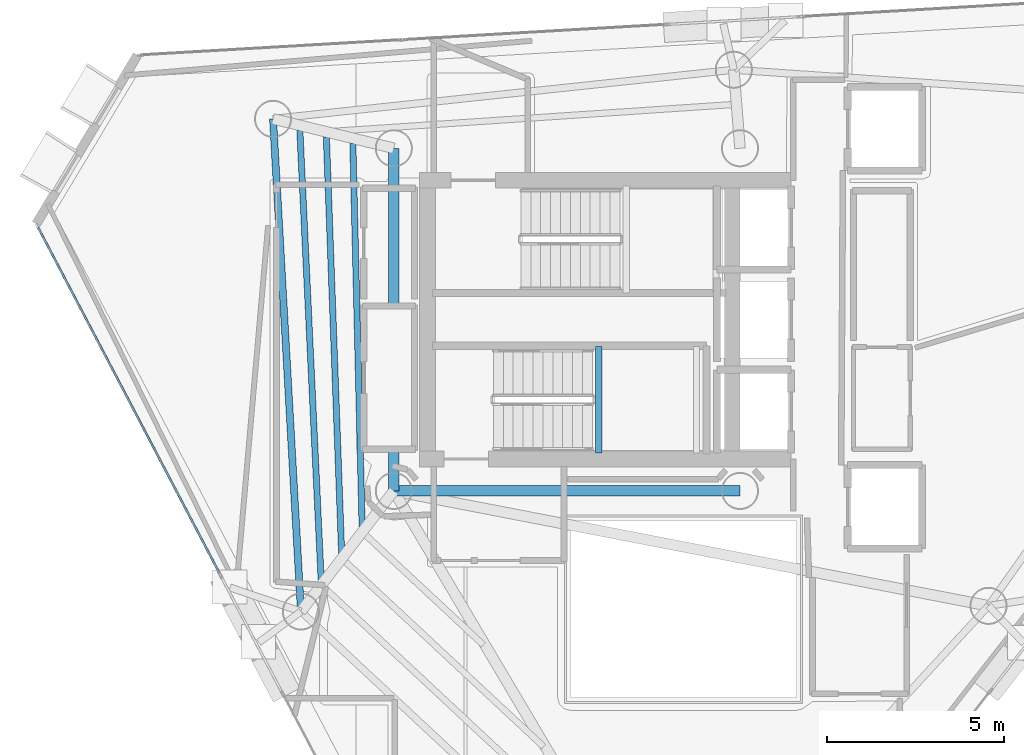
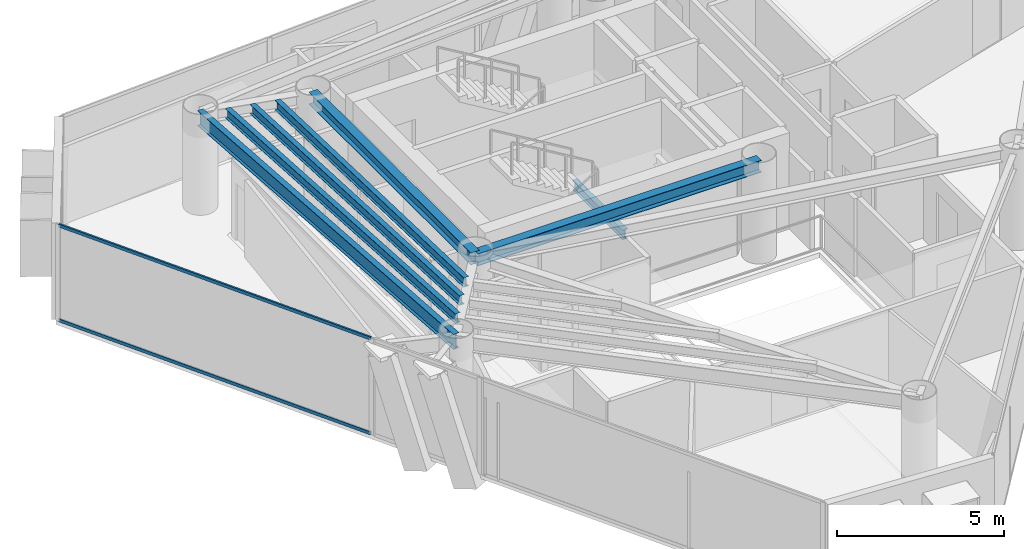
# One storey, part 7 of 18: 7 beams, 2 members, 1 element without a shape of its own.
"""IFC4 building model written with IfcOpenShell, lengths in metres."""

from ifc_helpers import new_model, si_unit, direction, frame, origin, origin_2d, place, context, subcontext, project, spatial, hollow_rectangle, i_section, extrude, material, layer, layer_set, material_profile, profile_set, type_object, element, aggregate, save


model = new_model("IFC4")

# Units and contexts
model_context = context("Model", 3, precision=1e-05, world=origin(), true_north=direction((0.0, 1.0)))
body_context = subcontext(model_context, "Body", "Model", "MODEL_VIEW")
ifc_project = project(units=[si_unit("LENGTHUNIT", "METRE"), si_unit("AREAUNIT", "SQUARE_METRE"), si_unit("VOLUMEUNIT", "CUBIC_METRE"), si_unit("PLANEANGLEUNIT", "RADIAN"), si_unit("MASSUNIT", "GRAM", prefix="KILO")], contexts=[model_context])

# Site, building, storey
site_placement = place(None, origin())
site = spatial("IfcSite", under=ifc_project, at=site_placement, CompositionType="ELEMENT")
building_placement = place(site_placement, origin())
building = spatial("IfcBuilding", under=site, at=building_placement, Name="Qianvela Tower", CompositionType="ELEMENT")
storey_placement = place(building_placement, frame((0.0, 0.0, 264.89990234375)))
storey = spatial("IfcBuildingStorey", under=building, at=storey_placement, Name="L68", CompositionType="ELEMENT", Elevation=264.89990234375)

# Beams
ifc_material_1 = material(Name="Steel Q355B", Category="steel")
ifc_material_profile_1 = material_profile(ifc_material_1, i_section(OverallWidth=0.300048828125, OverallDepth=0.43994140625, WebThickness=0.010986328125, FlangeThickness=0.01806640625, at=origin_2d()), Name="HM440x300x11x18")
ifc_profile_set_1 = profile_set([ifc_material_profile_1], Name="Steel Q355B")
beam_type_1 = type_object("IfcBeamType", Name="BM-HM440-COLL", PredefinedType="BEAM", material=ifc_profile_set_1)
beam_1_placement = place(storey_placement, frame((28.60009765625, 23.85009765625, 3.298095703125), z_axis=(1.0, 0.0, 0.0), x_axis=(0.0, 1.0, 0.0)))
element("IfcBeam", 1, at=beam_1_placement, inside=storey, type_object=beam_type_1, Name="L68 Core Ring Collector Girder CC1", PredefinedType="BEAM", context=body_context, shape_type="SweptSolid", body=[
    extrude(i_section(OverallWidth=0.300048828125, OverallDepth=0.43994140625, WebThickness=0.010986328125, FlangeThickness=0.01806640625, at=origin_2d()), origin(), (0.0, 0.0, 1.0), 9.7998046875),
])
beam_2_placement = place(storey_placement, frame((28.60009765625, 33.550048828125, 3.298095703125), z_axis=(0.0, -1.0, 0.0), x_axis=(1.0, 0.0, 0.0)))
element("IfcBeam", 2, at=beam_2_placement, inside=storey, type_object=beam_type_1, Name="L68 Core Ring Collector Girder CC2", PredefinedType="BEAM", context=body_context, shape_type="SweptSolid", body=[
    extrude(i_section(OverallWidth=0.300048828125, OverallDepth=0.43994140625, WebThickness=0.010986328125, FlangeThickness=0.01806640625, at=origin_2d()), origin(), (0.0, 0.0, 1.0), 9.699951171875),
])
ifc_material_2 = material(Name="Steel Q355B", Category="steel")
ifc_material_profile_2 = material_profile(ifc_material_2, i_section(OverallWidth=0.175048828125, OverallDepth=0.35009765625, WebThickness=0.007080078125, FlangeThickness=0.010986328125, at=origin_2d()), Name="HN350x175x7x11")
ifc_profile_set_2 = profile_set([ifc_material_profile_2], Name="Steel Q355B")
beam_type_2 = type_object("IfcBeamType", Name="BM-HN350-JOIST", PredefinedType="JOIST", material=ifc_profile_set_2)
beam_3_placement = place(storey_placement, frame((27.44140625, 33.6875, 3.343017578125), z_axis=(0.024087497273, -0.999709854145, 0.0), x_axis=(0.999709854145, 0.024087497273, 0.0)))
element("IfcBeam", 3, at=beam_3_placement, inside=storey, type_object=beam_type_2, Name="L68 Secondary Composite Floor Joist 3.1", PredefinedType="JOIST", context=body_context, shape_type="SweptSolid", body=[
    extrude(i_section(OverallWidth=0.175048828125, OverallDepth=0.35009765625, WebThickness=0.007080078125, FlangeThickness=0.010986328125, at=origin_2d()), origin(), (0.0, 0.0, 1.0), 10.855224609375),
])
beam_4_placement = place(storey_placement, frame((26.69140625, 33.87109375, 3.343017578125), z_axis=(0.036597460417, -0.999330088555, 0.0), x_axis=(0.999330088555, 0.036597460417, 0.0)))
element("IfcBeam", 4, at=beam_4_placement, inside=storey, type_object=beam_type_2, Name="L68 Secondary Composite Floor Joist 3.2", PredefinedType="JOIST", context=body_context, shape_type="SweptSolid", body=[
    extrude(i_section(OverallWidth=0.175048828125, OverallDepth=0.35009765625, WebThickness=0.007080078125, FlangeThickness=0.010986328125, at=origin_2d()), origin(), (0.0, 0.0, 1.0), 11.794189453125),
])
beam_5_placement = place(storey_placement, frame((25.94091796875, 34.0546875, 3.343017578125), z_axis=(0.04729372403, -0.998881025782, 0.0), x_axis=(0.998881025782, 0.04729372403, 0.0)))
element("IfcBeam", 5, at=beam_5_placement, inside=storey, type_object=beam_type_2, Name="L68 Secondary Composite Floor Joist 3.3", PredefinedType="JOIST", context=body_context, shape_type="SweptSolid", body=[
    extrude(i_section(OverallWidth=0.175048828125, OverallDepth=0.35009765625, WebThickness=0.007080078125, FlangeThickness=0.010986328125, at=origin_2d()), origin(), (0.0, 0.0, 1.0), 12.735107421875),
])
beam_6_placement = place(storey_placement, frame((34.39990234375, 24.919921875, 1.47509765625), z_axis=(0.0, 1.0, 0.0), x_axis=(-1.0, 0.0, 0.0)))
element("IfcBeam", 6, at=beam_6_placement, inside=storey, type_object=beam_type_2, Name="L68 Stair ST-2 Landing Support Beam 1.1", PredefinedType="JOIST", context=body_context, shape_type="SweptSolid", body=[
    extrude(i_section(OverallWidth=0.175048828125, OverallDepth=0.35009765625, WebThickness=0.007080078125, FlangeThickness=0.010986328125, at=origin_2d()), origin(), (0.0, 0.0, 1.0), 3.02001953125),
])
ifc_material_3 = material(Name="Steel Q355B", Category="steel")
ifc_material_profile_3 = material_profile(ifc_material_3, i_section(OverallWidth=0.199951171875, OverallDepth=0.550048828125, WebThickness=0.010009765625, FlangeThickness=0.01611328125, at=origin_2d()), Name="HN550x200x10x16")
ifc_profile_set_3 = profile_set([ifc_material_profile_3], Name="Steel Q355B")
beam_type_3 = type_object("IfcBeamType", Name="BM-HN550-GIRD", PredefinedType="BEAM", material=ifc_profile_set_3)
beam_7_placement = place(storey_placement, frame((25.181884765625, 34.384033203125, 3.2431640625), z_axis=(0.056555056691, -0.998399481952, 0.0), x_axis=(0.998399481952, 0.056555056691, 0.0)))
element("IfcBeam", 7, at=beam_7_placement, inside=storey, type_object=beam_type_3, Name="L68 Perimeter Ring Spandrel Girder 3", PredefinedType="BEAM", context=body_context, shape_type="SweptSolid", body=[
    extrude(i_section(OverallWidth=0.199951171875, OverallDepth=0.550048828125, WebThickness=0.010009765625, FlangeThickness=0.01611328125, at=origin_2d()), origin(), (0.0, 0.0, 1.0), 13.969482421875),
])

# Curtain wall, members
ifc_material_4 = material(Name="Anodised Architectural Aluminium and Low-E Glass", Category="aluminium")
ifc_layer = layer(ifc_material_4, 0.159912109375)
ifc_layer_set = layer_set([ifc_layer], Name="Anodised Architectural Aluminium and Low-E Glass")
curtain_wall_type = type_object("IfcCurtainWallType", Name="CW-COLIV-Z56", PredefinedType="USERDEFINED", material=ifc_layer_set)
curtain_wall_placement = place(storey_placement, origin())
curtain_wall = element("IfcCurtainWall", 8, at=curtain_wall_placement, inside=storey, type_object=curtain_wall_type, Name="L68 CW-COLIV-Z56 Curtain Wall 04A", ObjectType="CURTAIN_WALL_SYSTEM", PredefinedType="USERDEFINED")
ifc_material_5 = material(Name="Anodised Architectural Aluminium 6063-T6", Category="aluminium")
ifc_material_profile_4 = material_profile(ifc_material_5, hollow_rectangle(XDim=0.06005859375, YDim=0.114990234375, WallThickness=0.00390625, at=origin_2d()), Name="ALU-TRAN-60x115")
ifc_profile_set_4 = profile_set([ifc_material_profile_4], Name="Anodised Architectural Aluminium 6063-T6")
member_type = type_object("IfcMemberType", Name="CW-COLIV-Z56-TRAN", PredefinedType="USERDEFINED", material=ifc_profile_set_4)
member_1_placement = place(storey_placement, frame((18.530029296875, 31.306884765625, 0.030029296875), z_axis=(0.464535420992, -0.885554539621, 0.0), x_axis=(0.885554539621, 0.464535420992, 0.0)))
member_1 = element("IfcMember", 9, at=member_1_placement, type_object=member_type, Name="CW-5 transom 1.1", ObjectType="TRANSOM", PredefinedType="USERDEFINED", context=body_context, shape_type="SweptSolid", body=[
    extrude(hollow_rectangle(XDim=0.06005859375, YDim=0.114990234375, WallThickness=0.00390625, at=origin_2d()), origin(), (0.0, 0.0, 1.0), 11.02978515625),
])
member_2_placement = place(storey_placement, frame((18.530029296875, 31.306884765625, 3.489990234375), z_axis=(0.464535420992, -0.885554539621, 0.0), x_axis=(0.885554539621, 0.464535420992, 0.0)))
member_2 = element("IfcMember", 10, at=member_2_placement, type_object=member_type, Name="CW-5 transom 1.2", ObjectType="TRANSOM", PredefinedType="USERDEFINED", context=body_context, shape_type="SweptSolid", body=[
    extrude(hollow_rectangle(XDim=0.06005859375, YDim=0.114990234375, WallThickness=0.00390625, at=origin_2d()), origin(), (0.0, 0.0, 1.0), 11.02978515625),
])
aggregate(curtain_wall, [member_1, member_2])

save(model, "model.ifc")
